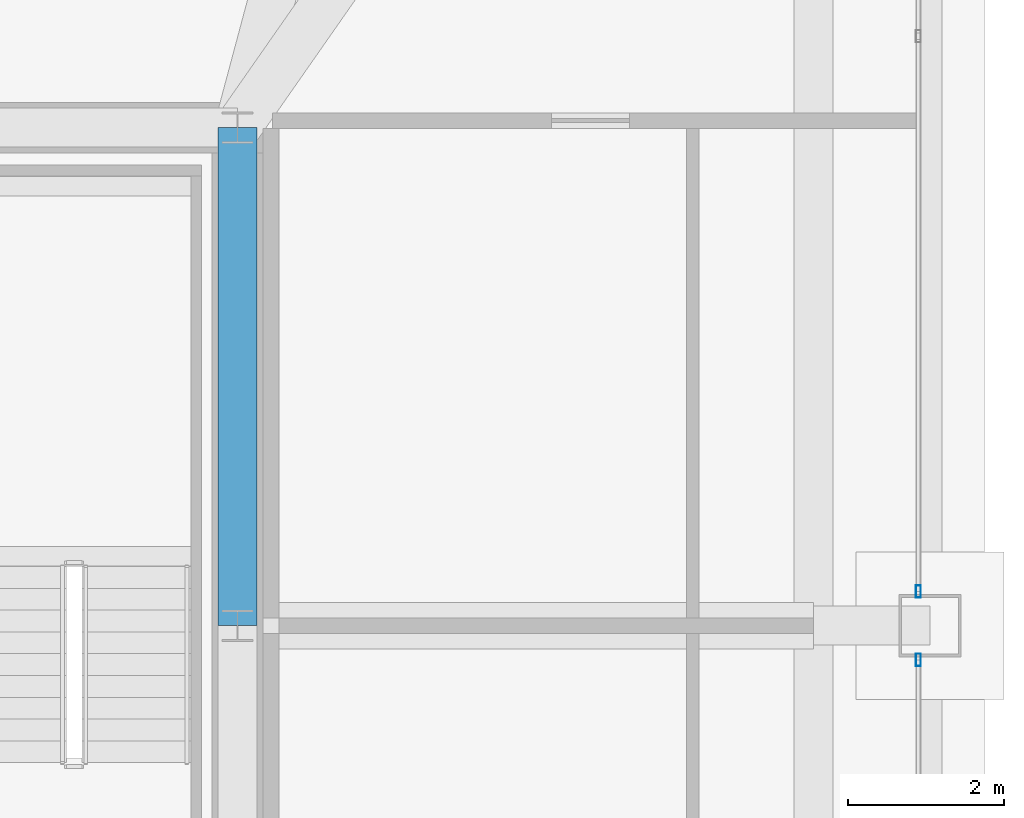
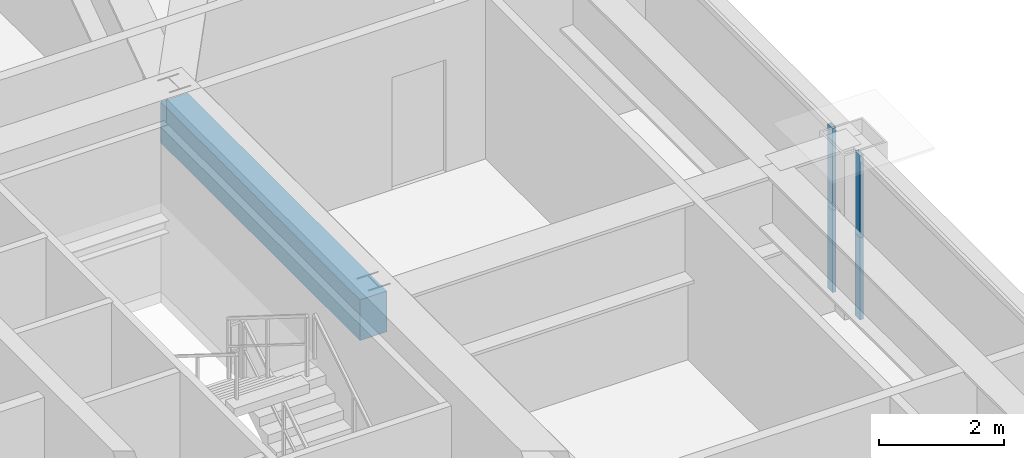
# One storey, part 20 of 39: 4 members, 1 beam, 2 elements without a shape of their own.
"""IFC4 building model written with IfcOpenShell, lengths in metres."""

from ifc_helpers import new_model, si_unit, direction, frame, origin, origin_2d, place, context, subcontext, project, spatial, rectangle, hollow_rectangle, extrude, source, transform, mapped, material, layer, layer_set, material_profile, profile_set, type_object, element, aggregate, save


model = new_model("IFC4")

# Units and contexts
model_context = context("Model", 3, precision=1e-05, world=origin(), true_north=direction((0.0, 1.0)))
body_context = subcontext(model_context, "Body", "Model", "MODEL_VIEW")
ifc_project = project(units=[si_unit("LENGTHUNIT", "METRE"), si_unit("AREAUNIT", "SQUARE_METRE"), si_unit("VOLUMEUNIT", "CUBIC_METRE"), si_unit("PLANEANGLEUNIT", "RADIAN"), si_unit("MASSUNIT", "GRAM", prefix="KILO"), si_unit("THERMODYNAMICTEMPERATUREUNIT", "KELVIN"), si_unit("POWERUNIT", "WATT")], contexts=[model_context])

# Site, building, storey
site_placement = place(None, origin())
site = spatial("IfcSite", under=ifc_project, at=site_placement, CompositionType="ELEMENT")
building_placement = place(site_placement, origin())
building = spatial("IfcBuilding", under=site, at=building_placement, Name="Yuzanri Waterfront Tower", CompositionType="ELEMENT")
storey_placement = place(building_placement, frame((0.0, 0.0, 216.0)))
storey = spatial("IfcBuildingStorey", under=building, at=storey_placement, Name="L57", CompositionType="ELEMENT", Elevation=216.0)

# Beam
ifc_material_1 = material(Name="Concrete C50", Category="concrete")
ifc_material_profile_1 = material_profile(ifc_material_1, rectangle(XDim=0.5, YDim=0.800048828125, at=origin_2d()), Name="RC 500x800")
ifc_profile_set_1 = profile_set([ifc_material_profile_1], Name="Concrete C50")
beam_type = type_object("IfcBeamType", Name="Core Coupling Lintel Concrete C50 500x800", PredefinedType="LINTEL", material=ifc_profile_set_1)
shared_shape_1 = source(origin(), body_context, "Body", "SweptSolid", [
    extrude(rectangle(XDim=0.5, YDim=0.800048828125, at=origin_2d()), origin(), (0.0, 0.0, 1.0), 6.39990234375),
])
beam_placement = place(storey_placement, frame((50.199951171875, 25.800048828125, 2.820068359375), z_axis=(0.0, 1.0, 0.0), x_axis=(-1.0, 0.0, 0.0)))
element("IfcBeam", 1, at=beam_placement, inside=storey, type_object=beam_type, Name="L57 Core Tie Beam CE2", PredefinedType="LINTEL", context=body_context, shape_type="MappedRepresentation", body=[
    mapped(shared_shape_1, transform((0.0, 0.0, 0.0), scale=1.0)),
])

# Curtain wall, members
ifc_material_2 = material(Name="Anodized Architectural Bronze", Category="metal")
ifc_layer = layer(ifc_material_2, 0.159912109375)
ifc_layer_set = layer_set([ifc_layer], Name="Anodized Architectural Bronze")
curtain_wall_type = type_object("IfcCurtainWallType", Name="Anodized Bronze Mid-Rise Residential Acoustic Unitized Curtain Wall 7200", PredefinedType="NOTDEFINED", material=ifc_layer_set)
curtain_wall_1_placement = place(storey_placement, origin())
curtain_wall_1 = element("IfcCurtainWall", 2, at=curtain_wall_1_placement, inside=storey, type_object=curtain_wall_type, Name="L57 Curtain Wall CW-L57-EL", PredefinedType="NOTDEFINED")
ifc_material_3 = material(Name="Anodized Architectural Bronze", Category="metal")
ifc_material_profile_2 = material_profile(ifc_material_3, hollow_rectangle(XDim=0.06494140625, YDim=0.159912109375, WallThickness=0.00341796875, at=origin_2d()), Name="CWM 65x160")
ifc_profile_set_2 = profile_set([ifc_material_profile_2], Name="Anodized Architectural Bronze")
member_type = type_object("IfcMemberType", Name="Anodized Bronze Upper-Zone Curtain-Wall Mullion 65x160", PredefinedType="MULLION", material=ifc_profile_set_2)
shared_shape_2 = source(origin(), body_context, "Body", "SweptSolid", [
    extrude(hollow_rectangle(XDim=0.06494140625, YDim=0.159912109375, WallThickness=0.00341796875, at=origin_2d()), origin(), (0.0, 0.0, 1.0), 1.60791015625),
])
member_1_placement = place(storey_placement, frame((58.949951171875, 25.360107421875, 0.0), z_axis=(0.0, 0.0, 1.0), x_axis=(1.0, 0.0, 0.0)))
member_1 = element("IfcMember", 3, at=member_1_placement, type_object=member_type, Name="CW-L57-EL Lower Mullion 02", PredefinedType="MULLION", context=body_context, shape_type="MappedRepresentation", body=[
    mapped(shared_shape_2, transform((0.0, 0.0, 0.0), scale=1.0)),
])
member_2_placement = place(storey_placement, frame((58.949951171875, 25.360107421875, 1.612060546875), z_axis=(0.0, 0.0, 1.0), x_axis=(1.0, 0.0, 0.0)))
member_2 = element("IfcMember", 4, at=member_2_placement, type_object=member_type, Name="CW-L57-EL Upper Mullion 02", PredefinedType="MULLION", context=body_context, shape_type="MappedRepresentation", body=[
    mapped(shared_shape_2, transform((0.0, 0.0, 0.0), scale=1.0)),
])
aggregate(curtain_wall_1, [member_1, member_2])

curtain_wall_2_placement = place(storey_placement, origin())
curtain_wall_2 = element("IfcCurtainWall", 5, at=curtain_wall_2_placement, inside=storey, type_object=curtain_wall_type, Name="L57 Curtain Wall CW-L57-ER", PredefinedType="NOTDEFINED")
member_3_placement = place(storey_placement, frame((58.949951171875, 26.239990234375, 0.0), z_axis=(0.0, 0.0, 1.0), x_axis=(1.0, 0.0, 0.0)))
member_3 = element("IfcMember", 6, at=member_3_placement, type_object=member_type, Name="CW-L57-ER Lower Mullion 00", PredefinedType="MULLION", context=body_context, shape_type="MappedRepresentation", body=[
    mapped(shared_shape_2, transform((0.0, 0.0, 0.0), scale=1.0)),
])
member_4_placement = place(storey_placement, frame((58.949951171875, 26.239990234375, 1.612060546875), z_axis=(0.0, 0.0, 1.0), x_axis=(1.0, 0.0, 0.0)))
member_4 = element("IfcMember", 7, at=member_4_placement, type_object=member_type, Name="CW-L57-ER Upper Mullion 00", PredefinedType="MULLION", context=body_context, shape_type="MappedRepresentation", body=[
    mapped(shared_shape_2, transform((0.0, 0.0, 0.0), scale=1.0)),
])
aggregate(curtain_wall_2, [member_3, member_4])

save(model, "model.ifc")
